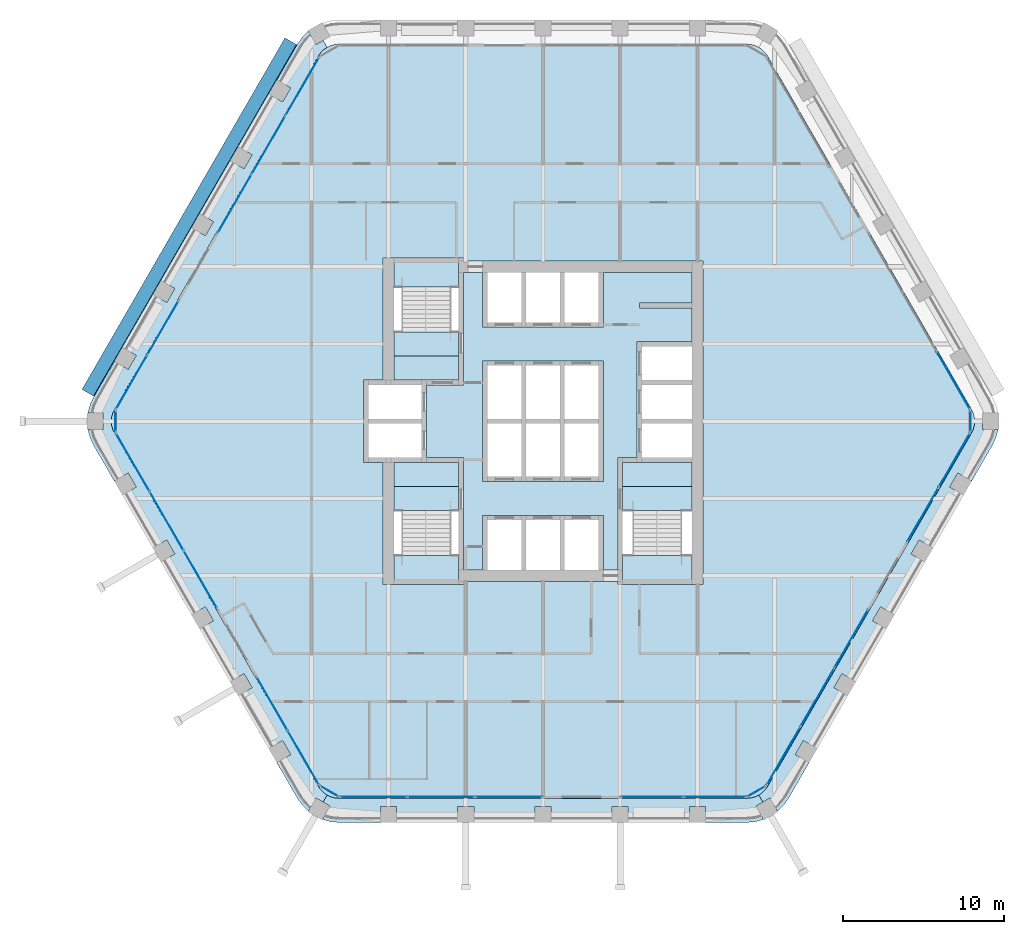
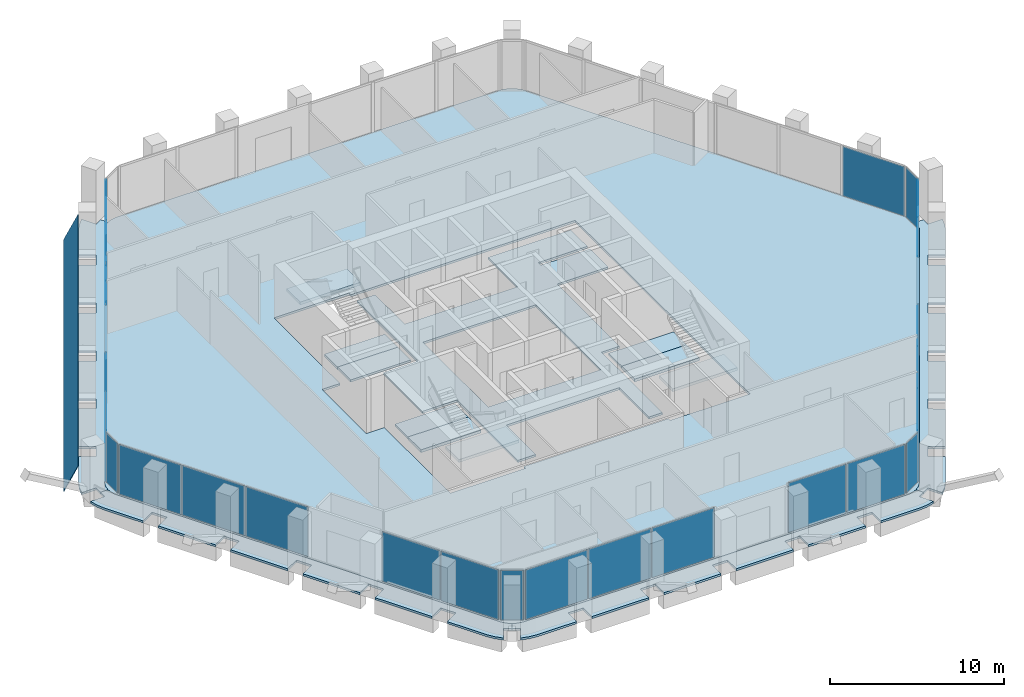
# One storey, part 8 of 16: 26 plates, 15 slabs, 16 elements without a shape of their own.
"""IFC4 building model written with IfcOpenShell, lengths in metres."""

from ifc_helpers import new_model, si_unit, direction, frame, origin, origin_2d, place, context, subcontext, project, spatial, polyline, rectangle, outline, extrude, material, layer, layer_set, type_object, element, aggregate, save


model = new_model("IFC4")

# Units and contexts
model_context = context("Model", 3, precision=1e-05, world=origin(), true_north=direction((0.0, 1.0)))
body_context = subcontext(model_context, "Body", "Model", "MODEL_VIEW")
ifc_project = project(units=[si_unit("LENGTHUNIT", "METRE"), si_unit("AREAUNIT", "SQUARE_METRE"), si_unit("VOLUMEUNIT", "CUBIC_METRE"), si_unit("PLANEANGLEUNIT", "RADIAN"), si_unit("MASSUNIT", "GRAM", prefix="KILO")], contexts=[model_context])

# Site, building, storey
site_placement = place(None, origin())
site = spatial("IfcSite", under=ifc_project, at=site_placement, CompositionType="ELEMENT")
building_placement = place(site_placement, origin())
building = spatial("IfcBuilding", under=site, at=building_placement, Name="Kolab Exchange Tower", CompositionType="ELEMENT")
storey_placement = place(building_placement, frame((0.0, 0.0, 209.0)))
storey = spatial("IfcBuildingStorey", under=building, at=storey_placement, Name="L45", CompositionType="ELEMENT", Elevation=209.0)

# Slabs
ifc_material_1 = material(Name="Concrete C35/45", Category="concrete")
ifc_layer_1 = layer(ifc_material_1, 0.14990234375)
ifc_layer_set_1 = layer_set([ifc_layer_1], Name="Concrete C35/45")
slab_type_1 = type_object("IfcSlabType", Name="FLOOR SLAB 150", PredefinedType="FLOOR", material=ifc_layer_set_1)
slab_1_placement = place(storey_placement, frame((0.0, 0.0, -0.14990234375)))
element("IfcSlab", 1, at=slab_1_placement, inside=storey, type_object=slab_type_1, Name="slab/L45/floor/0", PredefinedType="FLOOR", context=body_context, shape_type="SweptSolid", body=[
    extrude(outline(polyline([(13.967041015625, -22.691650390625), (26.635009765625, -0.75), (26.745361328125, -0.512939453125), (26.81298828125, -0.260498046875), (26.8359375, 0.0), (26.81298828125, 0.260498046875), (26.745361328125, 0.512939453125), (26.635009765625, 0.75), (13.967041015625, 22.691650390625), (13.81689453125, 22.90576171875), (13.632080078125, 23.090576171875), (13.41796875, 23.240478515625), (13.180908203125, 23.35107421875), (12.928466796875, 23.418701171875), (12.66796875, 23.441650390625), (-12.66796875, 23.441650390625), (-12.928466796875, 23.418701171875), (-13.180908203125, 23.35107421875), (-13.41796875, 23.240478515625), (-13.632080078125, 23.090576171875), (-13.81689453125, 22.90576171875), (-13.967041015625, 22.691650390625), (-26.635009765625, 0.75), (-26.745361328125, 0.512939453125), (-26.81298828125, 0.260498046875), (-26.8359375, 0.0), (-26.81298828125, -0.260498046875), (-26.745361328125, -0.512939453125), (-26.635009765625, -0.75), (-13.967041015625, -22.691650390625), (-13.81689453125, -22.90576171875), (-13.632080078125, -23.090576171875), (-13.41796875, -23.240478515625), (-13.180908203125, -23.35107421875), (-12.928466796875, -23.418701171875), (-12.66796875, -23.441650390625), (12.66796875, -23.441650390625), (12.928466796875, -23.418701171875), (13.180908203125, -23.35107421875), (13.41796875, -23.240478515625), (13.632080078125, -23.090576171875), (13.81689453125, -22.90576171875), (13.967041015625, -22.691650390625)]), holes=[polyline([(-9.25, -10.14990234375), (-9.949951171875, -10.14990234375), (-9.949951171875, -2.550048828125), (-10.85009765625, -2.550048828125), (-11.14990234375, -2.550048828125), (-11.14990234375, 2.550048828125), (-10.85009765625, 2.550048828125), (-9.949951171875, 2.550048828125), (-9.949951171875, 10.14990234375), (-9.25, 10.14990234375), (-5.25, 10.14990234375), (-4.949951171875, 10.14990234375), (-4.949951171875, 9.949951171875), (9.25, 9.949951171875), (9.949951171875, 9.949951171875), (9.949951171875, -10.14990234375), (9.25, -10.14990234375), (4.949951171875, -10.14990234375), (4.64990234375, -10.14990234375), (4.64990234375, -9.949951171875), (-4.949951171875, -9.949951171875), (-4.949951171875, -10.14990234375), (-5.25, -10.14990234375), (-9.25, -10.14990234375)])]), origin(), (0.0, 0.0, 1.0), 0.14990234375),
])
slab_2_placement = place(storey_placement, frame((0.0, 0.0, -0.14990234375)))
element("IfcSlab", 2, at=slab_2_placement, inside=storey, type_object=slab_type_1, Name="slab/L45/floor/1", PredefinedType="FLOOR", context=body_context, shape_type="SweptSolid", body=[
    extrude(outline(polyline([(-4.949951171875, 9.25), (-4.949951171875, 2.25), (-5.25, 2.25), (-7.25, 2.25), (-7.25, -2.25), (-5.25, -2.25), (-4.949951171875, -2.25), (-4.949951171875, -9.25), (-3.75, -9.25), (-3.75, -5.85009765625), (-3.449951171875, -5.85009765625), (-1.35009765625, -5.85009765625), (-1.050048828125, -5.85009765625), (1.050048828125, -5.85009765625), (1.35009765625, -5.85009765625), (3.449951171875, -5.85009765625), (3.75, -5.85009765625), (3.75, -9.25), (4.64990234375, -9.25), (4.64990234375, -2.25), (4.949951171875, -2.25), (5.85009765625, -2.25), (5.85009765625, 4.949951171875), (6.14990234375, 4.949951171875), (9.25, 4.949951171875), (9.25, 7.050048828125), (6.0, 7.050048828125), (6.0, 7.35009765625), (9.25, 7.35009765625), (9.25, 9.25), (3.75, 9.25), (3.75, 5.85009765625), (3.449951171875, 5.85009765625), (1.35009765625, 5.85009765625), (1.050048828125, 5.85009765625), (-1.050048828125, 5.85009765625), (-1.35009765625, 5.85009765625), (-3.449951171875, 5.85009765625), (-3.75, 5.85009765625), (-3.75, 9.25), (-4.949951171875, 9.25)]), holes=[polyline([(-3.449951171875, -3.75), (-3.75, -3.75), (-3.75, 3.75), (-3.449951171875, 3.75), (-1.35009765625, 3.75), (-1.050048828125, 3.75), (1.050048828125, 3.75), (1.35009765625, 3.75), (3.449951171875, 3.75), (3.75, 3.75), (3.75, -3.75), (3.449951171875, -3.75), (1.35009765625, -3.75), (1.050048828125, -3.75), (-1.050048828125, -3.75), (-1.35009765625, -3.75), (-3.449951171875, -3.75)])]), origin(), (0.0, 0.0, 1.0), 0.14990234375),
])
slab_3_placement = place(storey_placement, frame((0.0, 0.0, -0.14990234375)))
element("IfcSlab", 3, at=slab_3_placement, inside=storey, type_object=slab_type_1, Name="slab/L45/floor/2", PredefinedType="FLOOR", context=body_context, shape_type="SweptSolid", body=[
    extrude(outline(polyline([(4.949951171875, -4.050048828125), (9.25, -4.050048828125), (9.25, -2.550048828125), (6.14990234375, -2.550048828125), (5.85009765625, -2.550048828125), (4.949951171875, -2.550048828125), (4.949951171875, -4.050048828125)])), origin(), (0.0, 0.0, 1.0), 0.14990234375),
])
slab_4_placement = place(storey_placement, frame((0.0, 0.0, -0.14990234375)))
element("IfcSlab", 4, at=slab_4_placement, inside=storey, type_object=slab_type_1, Name="slab/L45/floor/3", PredefinedType="FLOOR", context=body_context, shape_type="SweptSolid", body=[
    extrude(outline(polyline([(-7.550048828125, -2.550048828125), (-9.25, -2.550048828125), (-9.25, -4.050048828125), (-5.25, -4.050048828125), (-5.25, -2.550048828125), (-7.25, -2.550048828125), (-7.550048828125, -2.550048828125)])), origin(), (0.0, 0.0, 1.0), 0.14990234375),
])
slab_5_placement = place(storey_placement, frame((0.0, 0.0, -0.14990234375)))
element("IfcSlab", 5, at=slab_5_placement, inside=storey, type_object=slab_type_1, Name="slab/L45/floor/4", PredefinedType="FLOOR", context=body_context, shape_type="SweptSolid", body=[
    extrude(outline(polyline([(-9.25, 2.550048828125), (-7.550048828125, 2.550048828125), (-7.25, 2.550048828125), (-5.25, 2.550048828125), (-5.25, 4.050048828125), (-9.25, 4.050048828125), (-9.25, 2.550048828125)])), origin(), (0.0, 0.0, 1.0), 0.14990234375),
])
ifc_layer_2 = layer(ifc_material_1, 0.14990234375)
ifc_layer_set_2 = layer_set([ifc_layer_2], Name="Concrete C35/45")
slab_type_2 = type_object("IfcSlabType", Name="LOGGIA SLAB 150", PredefinedType="FLOOR", material=ifc_layer_set_2)
slab_6_placement = place(storey_placement, frame((0.0, 0.0, -0.14990234375)))
element("IfcSlab", 6, at=slab_6_placement, inside=storey, type_object=slab_type_2, Name="slab/L45/loggia/2-0", PredefinedType="FLOOR", context=body_context, shape_type="SweptSolid", body=[
    extrude(outline(polyline([(15.26611328125, -23.441650390625), (16.550048828125, -21.217529296875), (15.68408203125, -20.717529296875), (16.18408203125, -19.8515625), (17.050048828125, -20.3515625), (18.949951171875, -17.060791015625), (18.083984375, -16.560791015625), (18.583984375, -15.694580078125), (19.449951171875, -16.194580078125), (21.35009765625, -12.90380859375), (20.48388671875, -12.40380859375), (20.98388671875, -11.537841796875), (21.85009765625, -12.037841796875), (23.75, -8.746826171875), (22.884033203125, -8.246826171875), (23.384033203125, -7.380859375), (24.25, -7.880859375), (26.14990234375, -4.58984375), (25.283935546875, -4.08984375), (25.783935546875, -3.223876953125), (26.64990234375, -3.723876953125), (27.93408203125, -1.5), (28.155029296875, -1.026123046875), (28.290283203125, -0.52099609375), (28.292236328125, -0.5), (27.3359375, -0.5), (27.3359375, 0.0), (26.8359375, 0.0), (26.81298828125, -0.260498046875), (26.745361328125, -0.512939453125), (26.635009765625, -0.75), (13.967041015625, -22.691650390625), (13.81689453125, -22.90576171875), (13.632080078125, -23.090576171875), (13.41796875, -23.240478515625), (13.66796875, -23.673583984375), (14.10107421875, -23.423583984375), (14.5791015625, -24.251708984375), (14.59619140625, -24.23974609375), (14.966064453125, -23.869873046875), (15.26611328125, -23.441650390625)])), origin(), (0.0, 0.0, 1.0), 0.14990234375),
])
slab_7_placement = place(storey_placement, frame((0.0, 0.0, -0.14990234375)))
element("IfcSlab", 7, at=slab_7_placement, inside=storey, type_object=slab_type_2, Name="slab/L45/loggia/3-0", PredefinedType="FLOOR", context=body_context, shape_type="SweptSolid", body=[
    extrude(outline(polyline([(-13.41796875, -23.240478515625), (-13.66796875, -23.673583984375), (-13.23486328125, -23.923583984375), (-13.713134765625, -24.751708984375), (-13.694091796875, -24.760498046875), (-13.18896484375, -24.89599609375), (-12.66796875, -24.941650390625), (-10.10009765625, -24.941650390625), (-10.10009765625, -23.941650390625), (-9.10009765625, -23.941650390625), (-9.10009765625, -24.941650390625), (-5.300048828125, -24.941650390625), (-5.300048828125, -23.941650390625), (-4.300048828125, -23.941650390625), (-4.300048828125, -24.941650390625), (-0.5, -24.941650390625), (-0.5, -23.941650390625), (0.5, -23.941650390625), (0.5, -24.941650390625), (4.300048828125, -24.941650390625), (4.300048828125, -23.941650390625), (5.300048828125, -23.941650390625), (5.300048828125, -24.941650390625), (9.10009765625, -24.941650390625), (9.10009765625, -23.941650390625), (10.10009765625, -23.941650390625), (10.10009765625, -24.941650390625), (12.66796875, -24.941650390625), (13.18896484375, -24.89599609375), (13.694091796875, -24.760498046875), (13.713134765625, -24.751708984375), (13.23486328125, -23.923583984375), (13.66796875, -23.673583984375), (13.41796875, -23.240478515625), (13.180908203125, -23.35107421875), (12.928466796875, -23.418701171875), (12.66796875, -23.441650390625), (-12.66796875, -23.441650390625), (-12.928466796875, -23.418701171875), (-13.180908203125, -23.35107421875), (-13.41796875, -23.240478515625)])), origin(), (0.0, 0.0, 1.0), 0.14990234375),
])
slab_8_placement = place(storey_placement, frame((0.0, 0.0, -0.14990234375)))
element("IfcSlab", 8, at=slab_8_placement, inside=storey, type_object=slab_type_2, Name="slab/L45/loggia/4-0", PredefinedType="FLOOR", context=body_context, shape_type="SweptSolid", body=[
    extrude(outline(polyline([(-26.8359375, 0.0), (-27.3359375, 0.0), (-27.3359375, -0.5), (-28.292236328125, -0.5), (-28.290283203125, -0.52099609375), (-28.155029296875, -1.026123046875), (-27.93408203125, -1.5), (-26.64990234375, -3.723876953125), (-25.783935546875, -3.223876953125), (-25.283935546875, -4.08984375), (-26.14990234375, -4.58984375), (-24.25, -7.880859375), (-23.384033203125, -7.380859375), (-22.884033203125, -8.246826171875), (-23.75, -8.746826171875), (-21.85009765625, -12.037841796875), (-20.98388671875, -11.537841796875), (-20.48388671875, -12.40380859375), (-21.35009765625, -12.90380859375), (-19.449951171875, -16.194580078125), (-18.583984375, -15.694580078125), (-18.083984375, -16.560791015625), (-18.949951171875, -17.060791015625), (-17.050048828125, -20.3515625), (-16.18408203125, -19.8515625), (-15.68408203125, -20.717529296875), (-16.550048828125, -21.217529296875), (-15.26611328125, -23.441650390625), (-14.966064453125, -23.869873046875), (-14.59619140625, -24.23974609375), (-14.5791015625, -24.251708984375), (-14.10107421875, -23.423583984375), (-13.66796875, -23.673583984375), (-13.41796875, -23.240478515625), (-13.632080078125, -23.090576171875), (-13.81689453125, -22.90576171875), (-13.967041015625, -22.691650390625), (-26.635009765625, -0.75), (-26.745361328125, -0.512939453125), (-26.81298828125, -0.260498046875), (-26.8359375, 0.0)])), origin(), (0.0, 0.0, 1.0), 0.14990234375),
])
slab_9_placement = place(storey_placement, frame((0.0, 0.0, -0.14990234375)))
element("IfcSlab", 9, at=slab_9_placement, inside=storey, type_object=slab_type_2, Name="slab/L45/loggia/5-0", PredefinedType="FLOOR", context=body_context, shape_type="SweptSolid", body=[
    extrude(outline(polyline([(-13.41796875, 23.240478515625), (-13.66796875, 23.673583984375), (-14.10107421875, 23.423583984375), (-14.5791015625, 24.251708984375), (-14.59619140625, 24.23974609375), (-14.966064453125, 23.869873046875), (-15.26611328125, 23.441650390625), (-16.550048828125, 21.217529296875), (-15.68408203125, 20.717529296875), (-16.18408203125, 19.8515625), (-17.050048828125, 20.3515625), (-18.949951171875, 17.060791015625), (-18.083984375, 16.560791015625), (-18.583984375, 15.694580078125), (-19.449951171875, 16.194580078125), (-21.35009765625, 12.90380859375), (-20.48388671875, 12.40380859375), (-20.98388671875, 11.537841796875), (-21.85009765625, 12.037841796875), (-23.75, 8.746826171875), (-22.884033203125, 8.246826171875), (-23.384033203125, 7.380859375), (-24.25, 7.880859375), (-26.14990234375, 4.58984375), (-25.283935546875, 4.08984375), (-25.783935546875, 3.223876953125), (-26.64990234375, 3.723876953125), (-27.93408203125, 1.5), (-28.155029296875, 1.026123046875), (-28.290283203125, 0.52099609375), (-28.292236328125, 0.5), (-27.3359375, 0.5), (-27.3359375, 0.0), (-26.8359375, 0.0), (-26.81298828125, 0.260498046875), (-26.745361328125, 0.512939453125), (-26.635009765625, 0.75), (-13.967041015625, 22.691650390625), (-13.81689453125, 22.90576171875), (-13.632080078125, 23.090576171875), (-13.41796875, 23.240478515625)])), origin(), (0.0, 0.0, 1.0), 0.14990234375),
])

# Plate
ifc_material_2 = material(Name="Laminated glass, clear", Category="glass")
ifc_layer_3 = layer(ifc_material_2, 0.0400390625)
ifc_layer_set_3 = layer_set([ifc_layer_3], Name="Laminated glass, clear")
plate_type_1 = type_object("IfcPlateType", Name="OUTER SKIN LAMINATED GLASS SHEET 40", PredefinedType="SHEET", material=ifc_layer_set_3)
plate_1_placement = place(storey_placement, frame((-28.658203125, 1.975830078125, -0.68310546875), z_axis=(-0.784898656704, 0.453161865271, 0.422585402693), x_axis=(0.499999968995, 0.866025421685, -9.26315e-07)))
element("IfcPlate", 10, at=plate_1_placement, inside=storey, type_object=plate_type_1, Name="Outer skin", PredefinedType="SHEET", context=body_context, shape_type="SweptSolid", body=[
    extrude(outline(polyline([(0.0, 0.0), (25.23592824607872, 0.0), (25.23580178082614, -1.96134386267648), (8.496673513263058e-05, -1.9612922777250188), (0.0, 0.0)])), origin(), (0.0, 0.0, -1.0), 0.0400390625),
])

# Stair, slabs
ifc_material_3 = material(Name="Concrete C50/60", Category="concrete")
stair_type_1 = type_object("IfcStairType", Name="STAIR ST1 RISER 177.3", PredefinedType="HALF_TURN_STAIR", material=ifc_material_3)
stair_1_placement = place(storey_placement, origin())
stair_1 = element("IfcStair", 11, at=stair_1_placement, inside=storey, type_object=stair_type_1, Name="Stair 1", PredefinedType="HALF_TURN_STAIR")
ifc_layer_4 = layer(ifc_material_3, 0.199951171875)
ifc_layer_set_4 = layer_set([ifc_layer_4], Name="Concrete C50/60")
slab_type_3 = type_object("IfcSlabType", Name="STAIR LANDING 200", PredefinedType="LANDING", material=ifc_layer_set_4)
slab_10_placement = place(storey_placement, frame((0.0, 0.0, -0.199951171875)))
slab_10 = element("IfcSlab", 12, at=slab_10_placement, type_object=slab_type_3, Name="ST1 landing 1", PredefinedType="LANDING", context=body_context, shape_type="SweptSolid", body=[
    extrude(outline(polyline([(-9.25, 4.050048828125), (-5.25, 4.050048828125), (-5.25, 5.550048828125), (-9.25, 5.550048828125), (-9.25, 4.050048828125)])), origin(), (0.0, 0.0, 1.0), 0.199951171875),
])
slab_11_placement = place(storey_placement, frame((0.0, 0.0, 1.75)))
slab_11 = element("IfcSlab", 13, at=slab_11_placement, type_object=slab_type_3, Name="ST1 landing 2", PredefinedType="LANDING", context=body_context, shape_type="SweptSolid", body=[
    extrude(outline(polyline([(-9.25, 8.35009765625), (-5.25, 8.35009765625), (-5.25, 9.909912109375), (-9.25, 9.909912109375), (-9.25, 8.35009765625)])), origin(), (0.0, 0.0, 1.0), 0.199951171875),
])
aggregate(stair_1, [slab_10, slab_11])

stair_type_2 = type_object("IfcStairType", Name="STAIR ST3 RISER 177.3", PredefinedType="HALF_TURN_STAIR", material=ifc_material_3)
stair_2_placement = place(storey_placement, origin())
stair_2 = element("IfcStair", 14, at=stair_2_placement, inside=storey, type_object=stair_type_2, Name="Stair 3", PredefinedType="HALF_TURN_STAIR")
slab_12_placement = place(storey_placement, frame((0.0, 0.0, -0.199951171875)))
slab_12 = element("IfcSlab", 15, at=slab_12_placement, type_object=slab_type_3, Name="ST3 landing 1", PredefinedType="LANDING", context=body_context, shape_type="SweptSolid", body=[
    extrude(outline(polyline([(-9.25, -5.550048828125), (-5.25, -5.550048828125), (-5.25, -4.050048828125), (-9.25, -4.050048828125), (-9.25, -5.550048828125)])), origin(), (0.0, 0.0, 1.0), 0.199951171875),
])
slab_13_placement = place(storey_placement, frame((0.0, 0.0, 1.75)))
slab_13 = element("IfcSlab", 16, at=slab_13_placement, type_object=slab_type_3, Name="ST3 landing 2", PredefinedType="LANDING", context=body_context, shape_type="SweptSolid", body=[
    extrude(outline(polyline([(-9.25, -9.909912109375), (-5.25, -9.909912109375), (-5.25, -8.35009765625), (-9.25, -8.35009765625), (-9.25, -9.909912109375)])), origin(), (0.0, 0.0, 1.0), 0.199951171875),
])
aggregate(stair_2, [slab_12, slab_13])

stair_type_3 = type_object("IfcStairType", Name="STAIR ST2 RISER 177.3", PredefinedType="HALF_TURN_STAIR", material=ifc_material_3)
stair_3_placement = place(storey_placement, origin())
stair_3 = element("IfcStair", 17, at=stair_3_placement, inside=storey, type_object=stair_type_3, Name="Stair 2", PredefinedType="HALF_TURN_STAIR")
slab_14_placement = place(storey_placement, frame((0.0, 0.0, -0.199951171875)))
slab_14 = element("IfcSlab", 18, at=slab_14_placement, type_object=slab_type_3, Name="ST2 landing 1", PredefinedType="LANDING", context=body_context, shape_type="SweptSolid", body=[
    extrude(outline(polyline([(4.949951171875, -5.550048828125), (9.25, -5.550048828125), (9.25, -4.050048828125), (4.949951171875, -4.050048828125), (4.949951171875, -5.550048828125)])), origin(), (0.0, 0.0, 1.0), 0.199951171875),
])
slab_15_placement = place(storey_placement, frame((0.0, 0.0, 1.75)))
slab_15 = element("IfcSlab", 19, at=slab_15_placement, type_object=slab_type_3, Name="ST2 landing 2", PredefinedType="LANDING", context=body_context, shape_type="SweptSolid", body=[
    extrude(outline(polyline([(4.949951171875, -9.909912109375), (9.25, -9.909912109375), (9.25, -8.35009765625), (4.949951171875, -8.35009765625), (4.949951171875, -9.909912109375)])), origin(), (0.0, 0.0, 1.0), 0.199951171875),
])
aggregate(stair_3, [slab_14, slab_15])

# Curtain wall, plate
ifc_material_4 = material(Name="Aluminium EN AW-6063 T6", Category="aluminium")
curtain_wall_type = type_object("IfcCurtainWallType", Name="UNITISED UPPER MID ZONE CURTAIN WALL", PredefinedType="NOTDEFINED", material=ifc_material_4)
curtain_wall_1_placement = place(storey_placement, origin())
curtain_wall_1 = element("IfcCurtainWall", 20, at=curtain_wall_1_placement, inside=storey, type_object=curtain_wall_type, Name="cw/L45/F2-2", PredefinedType="NOTDEFINED")
ifc_material_5 = material(Name="Clear insulated glazing unit", Category="glass")
ifc_layer_5 = layer(ifc_material_5, 0.028076171875)
ifc_layer_set_5 = layer_set([ifc_layer_5], Name="Clear insulated glazing unit")
plate_type_2 = type_object("IfcPlateType", Name="UNITISED UPPER MID ZONE GLASS PANEL 28", PredefinedType="CURTAIN_PANEL", material=ifc_layer_set_5)
plate_2_placement = place(storey_placement, frame((25.50244140625, 2.551513671875, 0.06005859375), z_axis=(0.0, 0.0, 1.0), x_axis=(0.499999958358, -0.866025427826, 0.0)))
plate_2 = element("IfcPlate", 21, at=plate_2_placement, type_object=plate_type_2, Name="CW3 panel 3.1", PredefinedType="CURTAIN_PANEL", context=body_context, shape_type="SweptSolid", body=[
    extrude(rectangle(XDim=4.132568359375, YDim=0.028076171875, at=origin_2d()), origin(), (0.0, 0.0, 1.0), 3.47998046875),
])
aggregate(curtain_wall_1, [plate_2])

# Curtain wall, plates
curtain_wall_2_placement = place(storey_placement, origin())
curtain_wall_2 = element("IfcCurtainWall", 22, at=curtain_wall_2_placement, inside=storey, type_object=curtain_wall_type, Name="cw/L45/F3-1", PredefinedType="NOTDEFINED")
plate_3_placement = place(storey_placement, frame((25.57470703125, -2.426513671875, 0.06005859375), z_axis=(0.0, 0.0, 1.0), x_axis=(-0.499999936366, -0.866025440524, 0.0)))
plate_3 = element("IfcPlate", 23, at=plate_3_placement, type_object=plate_type_2, Name="CW3 panel 1.1", PredefinedType="CURTAIN_PANEL", context=body_context, shape_type="SweptSolid", body=[
    extrude(rectangle(XDim=3.843994140625, YDim=0.028076171875, at=origin_2d()), origin(), (0.0, 0.0, 1.0), 3.47998046875),
])
plate_4_placement = place(storey_placement, frame((23.62255859375, -5.807373046875, 0.06005859375), z_axis=(0.0, 0.0, 1.0), x_axis=(-0.499999936366, -0.866025440524, 0.0)))
plate_4 = element("IfcPlate", 24, at=plate_4_placement, type_object=plate_type_2, Name="CW3 panel 2.1", PredefinedType="CURTAIN_PANEL", context=body_context, shape_type="SweptSolid", body=[
    extrude(rectangle(XDim=3.843994140625, YDim=0.028076171875, at=origin_2d()), origin(), (0.0, 0.0, 1.0), 3.47998046875),
])
aggregate(curtain_wall_2, [plate_3, plate_4])

curtain_wall_3_placement = place(storey_placement, origin())
curtain_wall_3 = element("IfcCurtainWall", 25, at=curtain_wall_3_placement, inside=storey, type_object=curtain_wall_type, Name="cw/L45/F3-2", PredefinedType="NOTDEFINED")
plate_5_placement = place(storey_placement, frame((19.16845703125, -13.522216796875, 0.06005859375), z_axis=(0.0, 0.0, 1.0), x_axis=(-0.500000017564, -0.866025393644, 0.0)))
plate_5 = element("IfcPlate", 26, at=plate_5_placement, type_object=plate_type_2, Name="CW3 panel 1.1", PredefinedType="CURTAIN_PANEL", context=body_context, shape_type="SweptSolid", body=[
    extrude(rectangle(XDim=4.132568359375, YDim=0.028076171875, at=origin_2d()), origin(), (0.0, 0.0, 1.0), 3.47998046875),
])
plate_6_placement = place(storey_placement, frame((17.064697265625, -17.166259765625, 0.06005859375), z_axis=(0.0, 0.0, 1.0), x_axis=(-0.500000017564, -0.866025393644, 0.0)))
plate_6 = element("IfcPlate", 27, at=plate_6_placement, type_object=plate_type_2, Name="CW3 panel 2.1", PredefinedType="CURTAIN_PANEL", context=body_context, shape_type="SweptSolid", body=[
    extrude(rectangle(XDim=4.16259765625, YDim=0.028076171875, at=origin_2d()), origin(), (0.0, 0.0, 1.0), 3.47998046875),
])
plate_7_placement = place(storey_placement, frame((14.9609375, -20.81005859375, 0.06005859375), z_axis=(0.0, 0.0, 1.0), x_axis=(-0.500000017564, -0.866025393644, 0.0)))
plate_7 = element("IfcPlate", 28, at=plate_7_placement, type_object=plate_type_2, Name="CW3 panel 3.1", PredefinedType="CURTAIN_PANEL", context=body_context, shape_type="SweptSolid", body=[
    extrude(rectangle(XDim=4.132568359375, YDim=0.028076171875, at=origin_2d()), origin(), (0.0, 0.0, 1.0), 3.47998046875),
])
aggregate(curtain_wall_3, [plate_5, plate_6, plate_7])

curtain_wall_4_placement = place(storey_placement, origin())
curtain_wall_4 = element("IfcCurtainWall", 29, at=curtain_wall_4_placement, inside=storey, type_object=curtain_wall_type, Name="cw/L45/F4-1", PredefinedType="NOTDEFINED")
plate_8_placement = place(storey_placement, frame((10.68603515625, -23.361572265625, 0.06005859375), z_axis=(0.0, 0.0, 1.0), x_axis=(-1.0, 0.0, 0.0)))
plate_8 = element("IfcPlate", 30, at=plate_8_placement, type_object=plate_type_2, Name="CW3 panel 1.1", PredefinedType="CURTAIN_PANEL", context=body_context, shape_type="SweptSolid", body=[
    extrude(rectangle(XDim=3.843994140625, YDim=0.028076171875, at=origin_2d()), origin(), (0.0, 0.0, 1.0), 3.47998046875),
])
plate_9_placement = place(storey_placement, frame((6.781982421875, -23.361572265625, 0.06005859375), z_axis=(0.0, 0.0, 1.0), x_axis=(-1.0, 0.0, 0.0)))
plate_9 = element("IfcPlate", 31, at=plate_9_placement, type_object=plate_type_2, Name="CW3 panel 2.1", PredefinedType="CURTAIN_PANEL", context=body_context, shape_type="SweptSolid", body=[
    extrude(rectangle(XDim=3.843994140625, YDim=0.028076171875, at=origin_2d()), origin(), (0.0, 0.0, 1.0), 3.47998046875),
])
aggregate(curtain_wall_4, [plate_8, plate_9])

curtain_wall_5_placement = place(storey_placement, origin())
curtain_wall_5 = element("IfcCurtainWall", 32, at=curtain_wall_5_placement, inside=storey, type_object=curtain_wall_type, Name="cw/L45/F4-2", PredefinedType="NOTDEFINED")
plate_10_placement = place(storey_placement, frame((-2.126220703125, -23.361572265625, 0.06005859375), z_axis=(0.0, 0.0, 1.0), x_axis=(-1.0, 0.0, 0.0)))
plate_10 = element("IfcPlate", 33, at=plate_10_placement, type_object=plate_type_2, Name="CW3 panel 1.1", PredefinedType="CURTAIN_PANEL", context=body_context, shape_type="SweptSolid", body=[
    extrude(rectangle(XDim=4.132568359375, YDim=0.028076171875, at=origin_2d()), origin(), (0.0, 0.0, 1.0), 3.47998046875),
])
plate_11_placement = place(storey_placement, frame((-6.333984375, -23.361572265625, 0.06005859375), z_axis=(0.0, 0.0, 1.0), x_axis=(-1.0, 0.0, 0.0)))
plate_11 = element("IfcPlate", 34, at=plate_11_placement, type_object=plate_type_2, Name="CW3 panel 2.1", PredefinedType="CURTAIN_PANEL", context=body_context, shape_type="SweptSolid", body=[
    extrude(rectangle(XDim=4.16259765625, YDim=0.028076171875, at=origin_2d()), origin(), (0.0, 0.0, 1.0), 3.47998046875),
])
plate_12_placement = place(storey_placement, frame((-10.54150390625, -23.361572265625, 0.06005859375), z_axis=(0.0, 0.0, 1.0), x_axis=(-1.0, 0.0, 0.0)))
plate_12 = element("IfcPlate", 35, at=plate_12_placement, type_object=plate_type_2, Name="CW3 panel 3.1", PredefinedType="CURTAIN_PANEL", context=body_context, shape_type="SweptSolid", body=[
    extrude(rectangle(XDim=4.132568359375, YDim=0.028076171875, at=origin_2d()), origin(), (0.0, 0.0, 1.0), 3.47998046875),
])
aggregate(curtain_wall_5, [plate_10, plate_11, plate_12])

curtain_wall_6_placement = place(storey_placement, origin())
curtain_wall_6 = element("IfcCurtainWall", 36, at=curtain_wall_6_placement, inside=storey, type_object=curtain_wall_type, Name="cw/L45/F5-1", PredefinedType="NOTDEFINED")
plate_13_placement = place(storey_placement, frame((-14.888671875, -20.93505859375, 0.06005859375), z_axis=(0.0, 0.0, 1.0), x_axis=(-0.500000031681, 0.866025385493, 0.0)))
plate_13 = element("IfcPlate", 37, at=plate_13_placement, type_object=plate_type_2, Name="CW3 panel 1.1", PredefinedType="CURTAIN_PANEL", context=body_context, shape_type="SweptSolid", body=[
    extrude(rectangle(XDim=3.843994140625, YDim=0.028076171875, at=origin_2d()), origin(), (0.0, 0.0, 1.0), 3.47998046875),
])
plate_14_placement = place(storey_placement, frame((-16.840576171875, -17.55419921875, 0.06005859375), z_axis=(0.0, 0.0, 1.0), x_axis=(-0.500000031681, 0.866025385493, 0.0)))
plate_14 = element("IfcPlate", 38, at=plate_14_placement, type_object=plate_type_2, Name="CW3 panel 2.1", PredefinedType="CURTAIN_PANEL", context=body_context, shape_type="SweptSolid", body=[
    extrude(rectangle(XDim=3.843994140625, YDim=0.028076171875, at=origin_2d()), origin(), (0.0, 0.0, 1.0), 3.47998046875),
])
aggregate(curtain_wall_6, [plate_13, plate_14])

curtain_wall_7_placement = place(storey_placement, origin())
curtain_wall_7 = element("IfcCurtainWall", 39, at=curtain_wall_7_placement, inside=storey, type_object=curtain_wall_type, Name="cw/L45/F5-2", PredefinedType="NOTDEFINED")
plate_15_placement = place(storey_placement, frame((-21.294921875, -9.83935546875, 0.06005859375), z_axis=(0.0, 0.0, 1.0), x_axis=(-0.499999958358, 0.866025427826, 0.0)))
plate_15 = element("IfcPlate", 40, at=plate_15_placement, type_object=plate_type_2, Name="CW3 panel 1.1", PredefinedType="CURTAIN_PANEL", context=body_context, shape_type="SweptSolid", body=[
    extrude(rectangle(XDim=4.132568359375, YDim=0.028076171875, at=origin_2d()), origin(), (0.0, 0.0, 1.0), 3.47998046875),
])
plate_16_placement = place(storey_placement, frame((-23.398681640625, -6.1953125, 0.06005859375), z_axis=(0.0, 0.0, 1.0), x_axis=(-0.499999958358, 0.866025427826, 0.0)))
plate_16 = element("IfcPlate", 41, at=plate_16_placement, type_object=plate_type_2, Name="CW3 panel 2.1", PredefinedType="CURTAIN_PANEL", context=body_context, shape_type="SweptSolid", body=[
    extrude(rectangle(XDim=4.16259765625, YDim=0.028076171875, at=origin_2d()), origin(), (0.0, 0.0, 1.0), 3.47998046875),
])
plate_17_placement = place(storey_placement, frame((-25.50244140625, -2.551513671875, 0.06005859375), z_axis=(0.0, 0.0, 1.0), x_axis=(-0.499999958358, 0.866025427826, 0.0)))
plate_17 = element("IfcPlate", 42, at=plate_17_placement, type_object=plate_type_2, Name="CW3 panel 3.1", PredefinedType="CURTAIN_PANEL", context=body_context, shape_type="SweptSolid", body=[
    extrude(rectangle(XDim=4.132568359375, YDim=0.028076171875, at=origin_2d()), origin(), (0.0, 0.0, 1.0), 3.47998046875),
])
aggregate(curtain_wall_7, [plate_15, plate_16, plate_17])

curtain_wall_8_placement = place(storey_placement, origin())
curtain_wall_8 = element("IfcCurtainWall", 43, at=curtain_wall_8_placement, inside=storey, type_object=curtain_wall_type, Name="cw/L45/F6-1", PredefinedType="NOTDEFINED")
plate_18_placement = place(storey_placement, frame((-25.57470703125, 2.426513671875, 0.06005859375), z_axis=(0.0, 0.0, 1.0), x_axis=(0.499999936366, 0.866025440524, 0.0)))
plate_18 = element("IfcPlate", 44, at=plate_18_placement, type_object=plate_type_2, Name="CW3 panel 1.1", PredefinedType="CURTAIN_PANEL", context=body_context, shape_type="SweptSolid", body=[
    extrude(rectangle(XDim=3.843994140625, YDim=0.028076171875, at=origin_2d()), origin(), (0.0, 0.0, 1.0), 3.47998046875),
])
plate_19_placement = place(storey_placement, frame((-23.62255859375, 5.807373046875, 0.06005859375), z_axis=(0.0, 0.0, 1.0), x_axis=(0.499999936366, 0.866025440524, 0.0)))
plate_19 = element("IfcPlate", 45, at=plate_19_placement, type_object=plate_type_2, Name="CW3 panel 2.1", PredefinedType="CURTAIN_PANEL", context=body_context, shape_type="SweptSolid", body=[
    extrude(rectangle(XDim=3.843994140625, YDim=0.028076171875, at=origin_2d()), origin(), (0.0, 0.0, 1.0), 3.47998046875),
])
aggregate(curtain_wall_8, [plate_18, plate_19])

curtain_wall_9_placement = place(storey_placement, origin())
curtain_wall_9 = element("IfcCurtainWall", 46, at=curtain_wall_9_placement, inside=storey, type_object=curtain_wall_type, Name="cw/L45/F6-2", PredefinedType="NOTDEFINED")
plate_20_placement = place(storey_placement, frame((-19.16845703125, 13.522216796875, 0.06005859375), z_axis=(0.0, 0.0, 1.0), x_axis=(0.500000017564, 0.866025393644, 0.0)))
plate_20 = element("IfcPlate", 47, at=plate_20_placement, type_object=plate_type_2, Name="CW3 panel 1.1", PredefinedType="CURTAIN_PANEL", context=body_context, shape_type="SweptSolid", body=[
    extrude(rectangle(XDim=4.132568359375, YDim=0.028076171875, at=origin_2d()), origin(), (0.0, 0.0, 1.0), 3.47998046875),
])
plate_21_placement = place(storey_placement, frame((-17.064697265625, 17.166259765625, 0.06005859375), z_axis=(0.0, 0.0, 1.0), x_axis=(0.500000017564, 0.866025393644, 0.0)))
plate_21 = element("IfcPlate", 48, at=plate_21_placement, type_object=plate_type_2, Name="CW3 panel 2.1", PredefinedType="CURTAIN_PANEL", context=body_context, shape_type="SweptSolid", body=[
    extrude(rectangle(XDim=4.16259765625, YDim=0.028076171875, at=origin_2d()), origin(), (0.0, 0.0, 1.0), 3.47998046875),
])
plate_22_placement = place(storey_placement, frame((-14.9609375, 20.81005859375, 0.06005859375), z_axis=(0.0, 0.0, 1.0), x_axis=(0.500000017564, 0.866025393644, 0.0)))
plate_22 = element("IfcPlate", 49, at=plate_22_placement, type_object=plate_type_2, Name="CW3 panel 3.1", PredefinedType="CURTAIN_PANEL", context=body_context, shape_type="SweptSolid", body=[
    extrude(rectangle(XDim=4.132568359375, YDim=0.028076171875, at=origin_2d()), origin(), (0.0, 0.0, 1.0), 3.47998046875),
])
aggregate(curtain_wall_9, [plate_20, plate_21, plate_22])

# Curtain wall, plate
curtain_wall_10_placement = place(storey_placement, origin())
curtain_wall_10 = element("IfcCurtainWall", 50, at=curtain_wall_10_placement, inside=storey, type_object=curtain_wall_type, Name="cw/L45/F2F3-corner", PredefinedType="NOTDEFINED")
plate_23_placement = place(storey_placement, frame((26.565673828125, 0.0, 0.06005859375), z_axis=(0.0, 0.0, 1.0), x_axis=(0.0, -1.0, 0.0)))
plate_23 = element("IfcPlate", 51, at=plate_23_placement, type_object=plate_type_2, Name="CW3 panel 1.1", PredefinedType="CURTAIN_PANEL", context=body_context, shape_type="SweptSolid", body=[
    extrude(rectangle(XDim=1.300048828125, YDim=0.028076171875, at=origin_2d()), origin(), (0.0, 0.0, 1.0), 3.47998046875),
])
aggregate(curtain_wall_10, [plate_23])

curtain_wall_11_placement = place(storey_placement, origin())
curtain_wall_11 = element("IfcCurtainWall", 52, at=curtain_wall_11_placement, inside=storey, type_object=curtain_wall_type, Name="cw/L45/F3F4-corner", PredefinedType="NOTDEFINED")
plate_24_placement = place(storey_placement, frame((13.28271484375, -23.006591796875, 0.06005859375), z_axis=(0.0, 0.0, 1.0), x_axis=(-0.866025390869, -0.50000002237, 0.0)))
plate_24 = element("IfcPlate", 53, at=plate_24_placement, type_object=plate_type_2, Name="CW3 panel 1.1", PredefinedType="CURTAIN_PANEL", context=body_context, shape_type="SweptSolid", body=[
    extrude(rectangle(XDim=1.300048828125, YDim=0.028076171875, at=origin_2d()), origin(), (0.0, 0.0, 1.0), 3.47998046875),
])
aggregate(curtain_wall_11, [plate_24])

curtain_wall_12_placement = place(storey_placement, origin())
curtain_wall_12 = element("IfcCurtainWall", 54, at=curtain_wall_12_placement, inside=storey, type_object=curtain_wall_type, Name="cw/L45/F4F5-corner", PredefinedType="NOTDEFINED")
plate_25_placement = place(storey_placement, frame((-13.28271484375, -23.006591796875, 0.06005859375), z_axis=(0.0, 0.0, 1.0), x_axis=(-0.866025390869, 0.50000002237, 0.0)))
plate_25 = element("IfcPlate", 55, at=plate_25_placement, type_object=plate_type_2, Name="CW3 panel 1.1", PredefinedType="CURTAIN_PANEL", context=body_context, shape_type="SweptSolid", body=[
    extrude(rectangle(XDim=1.300048828125, YDim=0.028076171875, at=origin_2d()), origin(), (0.0, 0.0, 1.0), 3.47998046875),
])
aggregate(curtain_wall_12, [plate_25])

curtain_wall_13_placement = place(storey_placement, origin())
curtain_wall_13 = element("IfcCurtainWall", 56, at=curtain_wall_13_placement, inside=storey, type_object=curtain_wall_type, Name="cw/L45/F5F6-corner", PredefinedType="NOTDEFINED")
plate_26_placement = place(storey_placement, frame((-26.565673828125, 0.0, 0.06005859375), z_axis=(0.0, 0.0, 1.0), x_axis=(0.0, 1.0, 0.0)))
plate_26 = element("IfcPlate", 57, at=plate_26_placement, type_object=plate_type_2, Name="CW3 panel 1.1", PredefinedType="CURTAIN_PANEL", context=body_context, shape_type="SweptSolid", body=[
    extrude(rectangle(XDim=1.300048828125, YDim=0.028076171875, at=origin_2d()), origin(), (0.0, 0.0, 1.0), 3.47998046875),
])
aggregate(curtain_wall_13, [plate_26])

save(model, "model.ifc")
